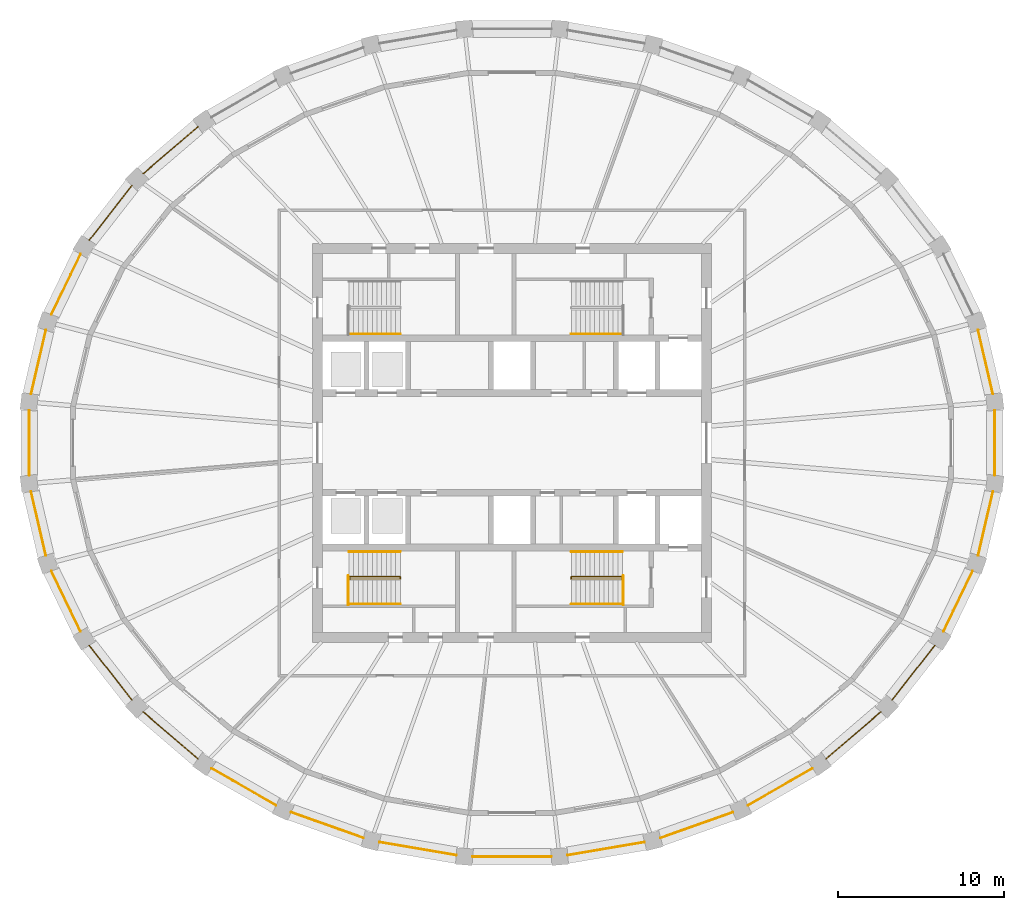
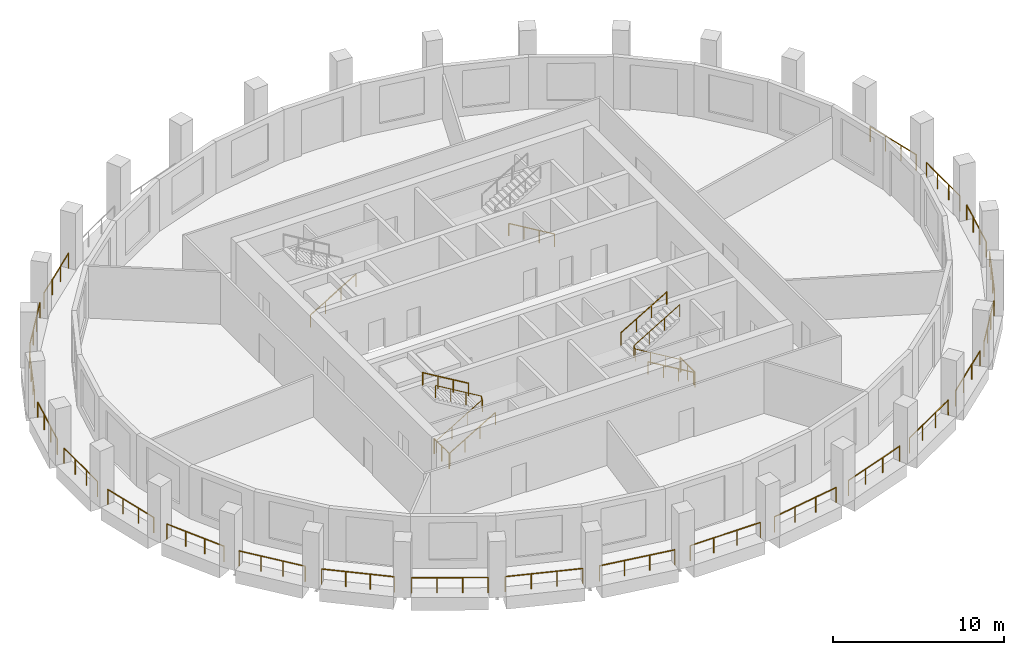
# One storey, part 8 of 10: 32 railings.
"""IFC4 building model written with IfcOpenShell, lengths in metres."""

import ifcopenshell
import ifcopenshell.guid

model = None  # the IFC model being written
_history = None  # IfcOwnerHistory: only IFC2X3 demands one
_inside = {}  # id of a spatial element -> (the spatial element, [elements in it])
_under = {}  # id of a project, library or spatial element -> (it, [spatial elements below it])
_declared = {}  # id of a project -> (the project, [libraries it declares])
_typed = {}  # id of a type object -> (the type object, [elements of that type])
_made_of = {}  # id of a material, layer set ... -> (it, [elements and type objects made of it])


def new_model(schema):
    """Start an empty IFC model of exactly this schema.

    Asked for "IFC4X3", IfcOpenShell would pick the latest addendum, in which some entities
    have other attributes; the version numbers below select the first issue.
    IFC2X3 requires an IfcOwnerHistory on every rooted entity: one is made here for all.
    """
    global model, _history
    if schema == "IFC4X3":
        model = ifcopenshell.file(schema_version=(4, 3, 0, 0))
    else:
        model = ifcopenshell.file(schema=schema)
    _inside.clear()
    _under.clear()
    _declared.clear()
    _typed.clear()
    _made_of.clear()
    _history = None
    if model.schema == "IFC2X3":
        org = make("IfcOrganization", Name="unknown")
        user = make(
            "IfcPersonAndOrganization",
            ThePerson=make("IfcPerson", FamilyName="unknown"),
            TheOrganization=org,
        )
        app = make(
            "IfcApplication",
            ApplicationDeveloper=org,
            Version="unknown",
            ApplicationFullName="unknown",
            ApplicationIdentifier="unknown",
        )
        _history = make(
            "IfcOwnerHistory",
            OwningUser=user,
            OwningApplication=app,
            ChangeAction="ADDED",
            CreationDate=0,
        )
    return model


def make(cls, **values):
    """One entity of the class cls with the attributes given. An attribute that is None is left unset."""
    return model.create_entity(
        cls, **{name: value for name, value in values.items() if value is not None}
    )


def rooted(cls, **values):
    """An entity with a GlobalId (a new one), such as an element, a storey or a relation."""
    return make(cls, GlobalId=ifcopenshell.guid.new(), OwnerHistory=_history, **values)


def si_unit(unit_type, name, prefix=None):
    """IfcSIUnit, for example si_unit("LENGTHUNIT", "METRE", prefix="MILLI")."""
    return make("IfcSIUnit", UnitType=unit_type, Prefix=prefix, Name=name)


def assignment(units):
    """IfcUnitAssignment: the units of a project."""
    return None if units is None else make("IfcUnitAssignment", Units=units)


def point(xyz):
    """IfcCartesianPoint."""
    return None if xyz is None else make("IfcCartesianPoint", Coordinates=xyz)


def direction(xyz):
    """IfcDirection."""
    return None if xyz is None else make("IfcDirection", DirectionRatios=xyz)


def frame(location, z_axis=None, x_axis=None):
    """IfcAxis2Placement3D, a coordinate frame: its origin and axes. An axis left out is left unset."""
    return make(
        "IfcAxis2Placement3D",
        Location=point(location),
        Axis=direction(z_axis),
        RefDirection=direction(x_axis),
    )


def frame_2d(location, x_axis=None):
    """IfcAxis2Placement2D, a coordinate frame in the plane: its origin and x axis."""
    return make(
        "IfcAxis2Placement2D", Location=point(location), RefDirection=direction(x_axis)
    )


def origin():
    """The frame at (0, 0, 0) with its axes left unset."""
    return frame((0.0, 0.0, 0.0))


def origin_2d():
    """The frame at (0, 0) in the plane with its x axis left unset."""
    return frame_2d((0.0, 0.0))


def place(relative_to, where):
    """IfcLocalPlacement: puts the frame where relative to a parent placement (None: the world)."""
    return make(
        "IfcLocalPlacement", PlacementRelTo=relative_to, RelativePlacement=where
    )


def context(
    kind, dimensions, precision=None, world=None, true_north=None, identifier=None
):
    """IfcGeometricRepresentationContext, for example the 3D "Model" context."""
    return make(
        "IfcGeometricRepresentationContext",
        ContextIdentifier=identifier,
        ContextType=kind,
        CoordinateSpaceDimension=dimensions,
        Precision=precision,
        WorldCoordinateSystem=world,
        TrueNorth=true_north,
    )


def subcontext(parent, identifier, kind, view, scale=None):
    """IfcGeometricRepresentationSubContext, for example "Body" below "Model"."""
    return make(
        "IfcGeometricRepresentationSubContext",
        ContextIdentifier=identifier,
        ContextType=kind,
        ParentContext=parent,
        TargetScale=scale,
        TargetView=view,
    )


def project(units=None, contexts=None):
    """IfcProject with its units and contexts."""
    return rooted(
        "IfcProject",
        Name="project",
        RepresentationContexts=contexts,
        UnitsInContext=assignment(units),
    )


def spatial(cls, under=None, at=None, **own):
    """A site, building, storey or space (cls), placed at a placement, below another one or the project."""
    s = rooted(cls, ObjectPlacement=at, **own)
    if under is not None:
        _under.setdefault(under.id(), (under, []))[1].append(s)
    return s


def profile(cls, at=None, kind="AREA", **sizes):
    """A parametric profile (cls). Its sizes go by their IFC names, for example OverallWidth=200.0."""
    return make(cls, ProfileType=kind, Position=at, **sizes)


def circle(**sizes):
    """IfcCircleProfileDef."""
    return profile("IfcCircleProfileDef", **sizes)


def extrude(swept, where, along, depth):
    """IfcExtrudedAreaSolid: the profile swept, set in the frame where, extruded along a direction by depth."""
    return make(
        "IfcExtrudedAreaSolid",
        SweptArea=swept,
        Position=where,
        ExtrudedDirection=direction(along),
        Depth=depth,
    )


def shape(context_of_items, identifier, shape_type, items):
    """IfcShapeRepresentation: the items that make up one representation, for example the "Body"."""
    return make(
        "IfcShapeRepresentation",
        ContextOfItems=context_of_items,
        RepresentationIdentifier=identifier,
        RepresentationType=shape_type,
        Items=items,
    )


def material(Name=None, Category=None):
    """IfcMaterial."""
    return make("IfcMaterial", Name=Name, Category=Category)


def made_of(thing, what):
    """Note that an element or type object is made of a material, layer set ...; save() writes the relation."""
    if what is not None:
        _made_of.setdefault(what.id(), (what, []))[1].append(thing)
    return thing


def type_object(cls, material=None, **own):
    """A type object (cls), such as IfcWallType, which elements share."""
    return made_of(rooted(cls, **own), material)


def element(
    cls,
    number,
    at=None,
    inside=None,
    cuts=None,
    type_object=None,
    material=None,
    context=None,
    identifier="Body",
    shape_type=None,
    held_by="IfcProductDefinitionShape",
    body=None,
    shapes=None,
    **own,
):
    """One element of the class cls, such as IfcWall. Its Tag is "e" and its number.

    at: its placement. inside: the storey or other place that contains it. cuts: it is an
    opening in that element (IfcRelVoidsElement). A single representation is given by context,
    identifier, shape_type and body (its items); several are given by shapes. held_by: the class
    of the entity that holds the representations. save() writes the other relations.
    """
    e = rooted(cls, Tag="e%d" % number, ObjectPlacement=at, **own)
    if body is not None:
        shapes = [shape(context, identifier, shape_type, body)]
    if shapes is not None:
        e.Representation = make(held_by, Representations=shapes)
    if inside is not None:
        _inside.setdefault(inside.id(), (inside, []))[1].append(e)
    if cuts is not None:
        rooted(
            "IfcRelVoidsElement", RelatingBuildingElement=cuts, RelatedOpeningElement=e
        )
    if type_object is not None:
        _typed.setdefault(type_object.id(), (type_object, []))[1].append(e)
    return made_of(e, material)


def aggregate(whole, parts):
    """IfcRelAggregates: a whole, such as a stair, and the parts it consists of."""
    return rooted("IfcRelAggregates", RelatingObject=whole, RelatedObjects=parts)


def save(model, path):
    """Write the relations noted so far, then the file.

    IfcRelAggregates (storeys below a building ...), IfcRelContainedInSpatialStructure (elements
    in a storey), IfcRelDefinesByType, IfcRelAssociatesMaterial and IfcRelDeclares: one each for
    every whole, place, type object, material and project.
    """
    for whole, parts in _under.values():
        aggregate(whole, parts)
    for where, things in _inside.values():
        rooted(
            "IfcRelContainedInSpatialStructure",
            RelatedElements=things,
            RelatingStructure=where,
        )
    for kind, things in _typed.values():
        rooted("IfcRelDefinesByType", RelatedObjects=things, RelatingType=kind)
    for what, things in _made_of.values():
        rooted("IfcRelAssociatesMaterial", RelatedObjects=things, RelatingMaterial=what)
    for by, libraries in _declared.values():
        rooted("IfcRelDeclares", RelatingContext=by, RelatedDefinitions=libraries)
    model.write(path)


model = new_model("IFC4")

# Units and contexts
model_context = context("Model", 3, precision=1e-05, world=origin(), true_north=direction((0.0, 1.0)))
body_context = subcontext(model_context, "Body", "Model", "MODEL_VIEW")
ifc_project = project(units=[si_unit("LENGTHUNIT", "METRE"), si_unit("AREAUNIT", "SQUARE_METRE"), si_unit("VOLUMEUNIT", "CUBIC_METRE"), si_unit("PLANEANGLEUNIT", "RADIAN"), si_unit("MASSUNIT", "GRAM", prefix="KILO")], contexts=[model_context])

# Site, building, storey
site_placement = place(None, origin())
site = spatial("IfcSite", under=ifc_project, at=site_placement, CompositionType="ELEMENT")
building_placement = place(site_placement, origin())
building = spatial("IfcBuilding", under=site, at=building_placement, Name="Halqa Exchange Tower", CompositionType="ELEMENT")
storey_placement = place(building_placement, frame((0.0, 0.0, 292.300048828125)))
storey = spatial("IfcBuildingStorey", under=building, at=storey_placement, Name="L68", CompositionType="ELEMENT", Elevation=292.300048828125)

# Railings
ifc_material = material(Name="Stainless steel", Category="steel")
railing_type_1 = type_object("IfcRailingType", Name="Guard 1100 stainless steel", PredefinedType="GUARDRAIL", material=ifc_material)
railing_1_placement = place(storey_placement, frame((28.9306640625, 2.93896484375, 0.0)))
element("IfcRailing", 1, at=railing_1_placement, inside=storey, type_object=railing_type_1, Name="Loggia guard 1", PredefinedType="GUARDRAIL", context=body_context, shape_type="SweptSolid", body=[
    extrude(circle(Radius=0.02392578125, at=origin_2d()), frame((0.0, 0.0, 1.076171875), z_axis=(-0.22607297296, 0.974110368951, 0.0), x_axis=(-0.974110368951, -0.22607297296, 0.0)), (0.0, 0.0, 1.0), 3.9375),
    extrude(circle(Radius=0.02099609375, at=origin_2d()), origin(), (0.0, 0.0, 1.0), 1.052001953125),
    extrude(circle(Radius=0.02099609375, at=origin_2d()), frame((-0.296630859375, 1.278564453125, 0.0)), (0.0, 0.0, 1.0), 1.052001953125),
    extrude(circle(Radius=0.02099609375, at=origin_2d()), frame((-0.593505859375, 2.556884765625, 0.0)), (0.0, 0.0, 1.0), 1.052001953125),
    extrude(circle(Radius=0.02099609375, at=origin_2d()), frame((-0.89013671875, 3.83544921875, 0.0)), (0.0, 0.0, 1.0), 1.052001953125),
])
railing_2_placement = place(storey_placement, frame((-18.893798828125, 19.011474609375, 0.0)))
element("IfcRailing", 2, at=railing_2_placement, inside=storey, type_object=railing_type_1, Name="Loggia guard 12", PredefinedType="GUARDRAIL", context=body_context, shape_type="SweptSolid", body=[
    extrude(circle(Radius=0.02392578125, at=origin_2d()), frame((0.0, 0.0, 1.076171875), z_axis=(-0.759256602365, -0.650791373456, 0.0), x_axis=(0.650791373456, -0.759256602365, 0.0)), (0.0, 0.0, 1.0), 4.328369140625),
    extrude(circle(Radius=0.02099609375, at=origin_2d()), origin(), (0.0, 0.0, 1.0), 1.052001953125),
    extrude(circle(Radius=0.02099609375, at=origin_2d()), frame((-1.095458984375, -0.93896484375, 0.0)), (0.0, 0.0, 1.0), 1.052001953125),
    extrude(circle(Radius=0.02099609375, at=origin_2d()), frame((-2.19091796875, -1.8779296875, 0.0)), (0.0, 0.0, 1.0), 1.052001953125),
    extrude(circle(Radius=0.02099609375, at=origin_2d()), frame((-3.286376953125, -2.81689453125, 0.0)), (0.0, 0.0, 1.0), 1.052001953125),
])
railing_3_placement = place(storey_placement, frame((-22.8671875, 15.47509765625, 0.0)))
element("IfcRailing", 3, at=railing_3_placement, inside=storey, type_object=railing_type_1, Name="Loggia guard 13", PredefinedType="GUARDRAIL", context=body_context, shape_type="SweptSolid", body=[
    extrude(circle(Radius=0.02392578125, at=origin_2d()), frame((0.0, 0.0, 1.076171875), z_axis=(-0.614799536048, -0.788683415875, 0.0), x_axis=(0.788683415875, -0.614799536048, 0.0)), (0.0, 0.0, 1.0), 4.169921875),
    extrude(circle(Radius=0.02099609375, at=origin_2d()), origin(), (0.0, 0.0, 1.0), 1.052001953125),
    extrude(circle(Radius=0.02099609375, at=origin_2d()), frame((-0.8544921875, -1.09619140625, 0.0)), (0.0, 0.0, 1.0), 1.052001953125),
    extrude(circle(Radius=0.02099609375, at=origin_2d()), frame((-1.709228515625, -2.192626953125, 0.0)), (0.0, 0.0, 1.0), 1.052001953125),
    extrude(circle(Radius=0.02099609375, at=origin_2d()), frame((-2.563720703125, -3.288818359375, 0.0)), (0.0, 0.0, 1.0), 1.052001953125),
])
railing_4_placement = place(storey_placement, frame((-25.955810546875, 11.341796875, 0.0)))
element("IfcRailing", 4, at=railing_4_placement, inside=storey, type_object=railing_type_1, Name="Loggia guard 14", PredefinedType="GUARDRAIL", context=body_context, shape_type="SweptSolid", body=[
    extrude(circle(Radius=0.02392578125, at=origin_2d()), frame((0.0, 0.0, 1.076171875), z_axis=(-0.435086028239, -0.90038888711, 0.0), x_axis=(0.90038888711, -0.435086028239, 0.0)), (0.0, 0.0, 1.0), 4.03173828125),
    extrude(circle(Radius=0.02099609375, at=origin_2d()), origin(), (0.0, 0.0, 1.0), 1.052001953125),
    extrude(circle(Radius=0.02099609375, at=origin_2d()), frame((-0.584716796875, -1.2099609375, 0.0)), (0.0, 0.0, 1.0), 1.052001953125),
    extrude(circle(Radius=0.02099609375, at=origin_2d()), frame((-1.16943359375, -2.420166015625, 0.0)), (0.0, 0.0, 1.0), 1.052001953125),
    extrude(circle(Radius=0.02099609375, at=origin_2d()), frame((-1.754150390625, -3.630126953125, 0.0)), (0.0, 0.0, 1.0), 1.052001953125),
])
railing_5_placement = place(storey_placement, frame((-28.04052734375, 6.7744140625, 0.0)))
element("IfcRailing", 5, at=railing_5_placement, inside=storey, type_object=railing_type_1, Name="Loggia guard 15", PredefinedType="GUARDRAIL", context=body_context, shape_type="SweptSolid", body=[
    extrude(circle(Radius=0.02392578125, at=origin_2d()), frame((0.0, 0.0, 1.076171875), z_axis=(-0.22607297296, -0.974110368951, 0.0), x_axis=(0.974110368951, -0.22607297296, 0.0)), (0.0, 0.0, 1.0), 3.9375),
    extrude(circle(Radius=0.02099609375, at=origin_2d()), origin(), (0.0, 0.0, 1.0), 1.052001953125),
    extrude(circle(Radius=0.02099609375, at=origin_2d()), frame((-0.296630859375, -1.278564453125, 0.0)), (0.0, 0.0, 1.0), 1.052001953125),
    extrude(circle(Radius=0.02099609375, at=origin_2d()), frame((-0.593505859375, -2.556884765625, 0.0)), (0.0, 0.0, 1.0), 1.052001953125),
    extrude(circle(Radius=0.02099609375, at=origin_2d()), frame((-0.89013671875, -3.83544921875, 0.0)), (0.0, 0.0, 1.0), 1.052001953125),
])
railing_6_placement = place(storey_placement, frame((-29.043701171875, 1.951904296875, 0.0)))
element("IfcRailing", 6, at=railing_6_placement, inside=storey, type_object=railing_type_1, Name="Loggia guard 16", PredefinedType="GUARDRAIL", context=body_context, shape_type="SweptSolid", body=[
    extrude(circle(Radius=0.02392578125, at=origin_2d()), frame((0.0, 0.0, 1.076171875), z_axis=(0.0, -1.0, 0.0), x_axis=(1.0, 0.0, 0.0)), (0.0, 0.0, 1.0), 3.90380859375),
    extrude(circle(Radius=0.02099609375, at=origin_2d()), origin(), (0.0, 0.0, 1.0), 1.052001953125),
    extrude(circle(Radius=0.02099609375, at=origin_2d()), frame((0.0, -1.30126953125, 0.0)), (0.0, 0.0, 1.0), 1.052001953125),
    extrude(circle(Radius=0.02099609375, at=origin_2d()), frame((0.0, -2.6025390625, 0.0)), (0.0, 0.0, 1.0), 1.052001953125),
    extrude(circle(Radius=0.02099609375, at=origin_2d()), frame((0.0, -3.90380859375, 0.0)), (0.0, 0.0, 1.0), 1.052001953125),
])
railing_7_placement = place(storey_placement, frame((-28.9306640625, -2.93896484375, 0.0)))
element("IfcRailing", 7, at=railing_7_placement, inside=storey, type_object=railing_type_1, Name="Loggia guard 17", PredefinedType="GUARDRAIL", context=body_context, shape_type="SweptSolid", body=[
    extrude(circle(Radius=0.02392578125, at=origin_2d()), frame((0.0, 0.0, 1.076171875), z_axis=(0.22607297296, -0.974110368951, 0.0), x_axis=(0.974110368951, 0.22607297296, 0.0)), (0.0, 0.0, 1.0), 3.9375),
    extrude(circle(Radius=0.02099609375, at=origin_2d()), origin(), (0.0, 0.0, 1.0), 1.052001953125),
    extrude(circle(Radius=0.02099609375, at=origin_2d()), frame((0.296630859375, -1.278564453125, 0.0)), (0.0, 0.0, 1.0), 1.052001953125),
    extrude(circle(Radius=0.02099609375, at=origin_2d()), frame((0.593505859375, -2.556884765625, 0.0)), (0.0, 0.0, 1.0), 1.052001953125),
    extrude(circle(Radius=0.02099609375, at=origin_2d()), frame((0.89013671875, -3.83544921875, 0.0)), (0.0, 0.0, 1.0), 1.052001953125),
])
railing_8_placement = place(storey_placement, frame((-27.7099609375, -7.711669921875, 0.0)))
element("IfcRailing", 8, at=railing_8_placement, inside=storey, type_object=railing_type_1, Name="Loggia guard 18", PredefinedType="GUARDRAIL", context=body_context, shape_type="SweptSolid", body=[
    extrude(circle(Radius=0.02392578125, at=origin_2d()), frame((0.0, 0.0, 1.076171875), z_axis=(0.435086028239, -0.90038888711, 0.0), x_axis=(0.90038888711, 0.435086028239, 0.0)), (0.0, 0.0, 1.0), 4.03173828125),
    extrude(circle(Radius=0.02099609375, at=origin_2d()), origin(), (0.0, 0.0, 1.0), 1.052001953125),
    extrude(circle(Radius=0.02099609375, at=origin_2d()), frame((0.584716796875, -1.2099609375, 0.0)), (0.0, 0.0, 1.0), 1.052001953125),
    extrude(circle(Radius=0.02099609375, at=origin_2d()), frame((1.16943359375, -2.420166015625, 0.0)), (0.0, 0.0, 1.0), 1.052001953125),
    extrude(circle(Radius=0.02099609375, at=origin_2d()), frame((1.754150390625, -3.630126953125, 0.0)), (0.0, 0.0, 1.0), 1.052001953125),
])
railing_9_placement = place(storey_placement, frame((-25.430908203125, -12.186279296875, 0.0)))
element("IfcRailing", 9, at=railing_9_placement, inside=storey, type_object=railing_type_1, Name="Loggia guard 19", PredefinedType="GUARDRAIL", context=body_context, shape_type="SweptSolid", body=[
    extrude(circle(Radius=0.02392578125, at=origin_2d()), frame((0.0, 0.0, 1.076171875), z_axis=(0.614799536048, -0.788683415875, 0.0), x_axis=(0.788683415875, 0.614799536048, 0.0)), (0.0, 0.0, 1.0), 4.169921875),
    extrude(circle(Radius=0.02099609375, at=origin_2d()), origin(), (0.0, 0.0, 1.0), 1.052001953125),
    extrude(circle(Radius=0.02099609375, at=origin_2d()), frame((0.8544921875, -1.09619140625, 0.0)), (0.0, 0.0, 1.0), 1.052001953125),
    extrude(circle(Radius=0.02099609375, at=origin_2d()), frame((1.709228515625, -2.192626953125, 0.0)), (0.0, 0.0, 1.0), 1.052001953125),
    extrude(circle(Radius=0.02099609375, at=origin_2d()), frame((2.563720703125, -3.288818359375, 0.0)), (0.0, 0.0, 1.0), 1.052001953125),
])
railing_10_placement = place(storey_placement, frame((-22.18017578125, -16.194580078125, 0.0)))
element("IfcRailing", 10, at=railing_10_placement, inside=storey, type_object=railing_type_1, Name="Loggia guard 20", PredefinedType="GUARDRAIL", context=body_context, shape_type="SweptSolid", body=[
    extrude(circle(Radius=0.02392578125, at=origin_2d()), frame((0.0, 0.0, 1.076171875), z_axis=(0.759256602365, -0.650791373456, 0.0), x_axis=(0.650791373456, 0.759256602365, 0.0)), (0.0, 0.0, 1.0), 4.328369140625),
    extrude(circle(Radius=0.02099609375, at=origin_2d()), origin(), (0.0, 0.0, 1.0), 1.052001953125),
    extrude(circle(Radius=0.02099609375, at=origin_2d()), frame((1.095458984375, -0.93896484375, 0.0)), (0.0, 0.0, 1.0), 1.052001953125),
    extrude(circle(Radius=0.02099609375, at=origin_2d()), frame((2.19091796875, -1.8779296875, 0.0)), (0.0, 0.0, 1.0), 1.052001953125),
    extrude(circle(Radius=0.02099609375, at=origin_2d()), frame((3.286376953125, -2.81689453125, 0.0)), (0.0, 0.0, 1.0), 1.052001953125),
])
railing_11_placement = place(storey_placement, frame((-18.080322265625, -19.58544921875, 0.0)))
element("IfcRailing", 11, at=railing_11_placement, inside=storey, type_object=railing_type_1, Name="Loggia guard 21", PredefinedType="GUARDRAIL", context=body_context, shape_type="SweptSolid", body=[
    extrude(circle(Radius=0.02392578125, at=origin_2d()), frame((0.0, 0.0, 1.076171875), z_axis=(0.867770081803, -0.496965879239, 0.0), x_axis=(0.496965879239, 0.867770081803, 0.0)), (0.0, 0.0, 1.0), 4.481689453125),
    extrude(circle(Radius=0.02099609375, at=origin_2d()), origin(), (0.0, 0.0, 1.0), 1.052001953125),
    extrude(circle(Radius=0.02099609375, at=origin_2d()), frame((1.29638671875, -0.742431640625, 0.0)), (0.0, 0.0, 1.0), 1.052001953125),
    extrude(circle(Radius=0.02099609375, at=origin_2d()), frame((2.5927734375, -1.48486328125, 0.0)), (0.0, 0.0, 1.0), 1.052001953125),
    extrude(circle(Radius=0.02099609375, at=origin_2d()), frame((3.88916015625, -2.227294921875, 0.0)), (0.0, 0.0, 1.0), 1.052001953125),
])
railing_12_placement = place(storey_placement, frame((-13.2861328125, -22.228515625, 0.0)))
element("IfcRailing", 12, at=railing_12_placement, inside=storey, type_object=railing_type_1, Name="Loggia guard 22", PredefinedType="GUARDRAIL", context=body_context, shape_type="SweptSolid", body=[
    extrude(circle(Radius=0.02392578125, at=origin_2d()), frame((0.0, 0.0, 1.076171875), z_axis=(0.942370647396, -0.334570714388, 0.0), x_axis=(0.334570714388, 0.942370647396, 0.0)), (0.0, 0.0, 1.0), 4.60888671875),
    extrude(circle(Radius=0.02099609375, at=origin_2d()), origin(), (0.0, 0.0, 1.0), 1.052001953125),
    extrude(circle(Radius=0.02099609375, at=origin_2d()), frame((1.44775390625, -0.513916015625, 0.0)), (0.0, 0.0, 1.0), 1.052001953125),
    extrude(circle(Radius=0.02099609375, at=origin_2d()), frame((2.8955078125, -1.028076171875, 0.0)), (0.0, 0.0, 1.0), 1.052001953125),
    extrude(circle(Radius=0.02099609375, at=origin_2d()), frame((4.34326171875, -1.5419921875, 0.0)), (0.0, 0.0, 1.0), 1.052001953125),
])
railing_13_placement = place(storey_placement, frame((-7.978759765625, -24.02197265625, 0.0)))
element("IfcRailing", 13, at=railing_13_placement, inside=storey, type_object=railing_type_1, Name="Loggia guard 23", PredefinedType="GUARDRAIL", context=body_context, shape_type="SweptSolid", body=[
    extrude(circle(Radius=0.02392578125, at=origin_2d()), frame((0.0, 0.0, 1.076171875), z_axis=(0.98577534907, -0.168068322908, 0.0), x_axis=(0.168068322908, 0.98577534907, 0.0)), (0.0, 0.0, 1.0), 4.69189453125),
    extrude(circle(Radius=0.02099609375, at=origin_2d()), origin(), (0.0, 0.0, 1.0), 1.052001953125),
    extrude(circle(Radius=0.02099609375, at=origin_2d()), frame((1.541748046875, -0.262939453125, 0.0)), (0.0, 0.0, 1.0), 1.052001953125),
    extrude(circle(Radius=0.02099609375, at=origin_2d()), frame((3.08349609375, -0.525634765625, 0.0)), (0.0, 0.0, 1.0), 1.052001953125),
    extrude(circle(Radius=0.02099609375, at=origin_2d()), frame((4.625244140625, -0.78857421875, 0.0)), (0.0, 0.0, 1.0), 1.052001953125),
])
railing_14_placement = place(storey_placement, frame((-2.360595703125, -24.89453125, 0.0)))
element("IfcRailing", 14, at=railing_14_placement, inside=storey, type_object=railing_type_1, Name="Loggia guard 24", PredefinedType="GUARDRAIL", context=body_context, shape_type="SweptSolid", body=[
    extrude(circle(Radius=0.02392578125, at=origin_2d()), frame((0.0, 0.0, 1.076171875), z_axis=(1.0, 0.0, 0.0), x_axis=(0.0, 1.0, 0.0)), (0.0, 0.0, 1.0), 4.72119140625),
    extrude(circle(Radius=0.02099609375, at=origin_2d()), origin(), (0.0, 0.0, 1.0), 1.052001953125),
    extrude(circle(Radius=0.02099609375, at=origin_2d()), frame((1.57373046875, 0.0, 0.0)), (0.0, 0.0, 1.0), 1.052001953125),
    extrude(circle(Radius=0.02099609375, at=origin_2d()), frame((3.1474609375, 0.0, 0.0)), (0.0, 0.0, 1.0), 1.052001953125),
    extrude(circle(Radius=0.02099609375, at=origin_2d()), frame((4.72119140625, 0.0, 0.0)), (0.0, 0.0, 1.0), 1.052001953125),
])
railing_15_placement = place(storey_placement, frame((3.353515625, -24.810546875, 0.0)))
element("IfcRailing", 15, at=railing_15_placement, inside=storey, type_object=railing_type_1, Name="Loggia guard 25", PredefinedType="GUARDRAIL", context=body_context, shape_type="SweptSolid", body=[
    extrude(circle(Radius=0.02392578125, at=origin_2d()), frame((0.0, 0.0, 1.076171875), z_axis=(0.98577534907, 0.168068322908, 0.0), x_axis=(-0.168068322908, 0.98577534907, 0.0)), (0.0, 0.0, 1.0), 4.69189453125),
    extrude(circle(Radius=0.02099609375, at=origin_2d()), origin(), (0.0, 0.0, 1.0), 1.052001953125),
    extrude(circle(Radius=0.02099609375, at=origin_2d()), frame((1.541748046875, 0.262939453125, 0.0)), (0.0, 0.0, 1.0), 1.052001953125),
    extrude(circle(Radius=0.02099609375, at=origin_2d()), frame((3.08349609375, 0.525634765625, 0.0)), (0.0, 0.0, 1.0), 1.052001953125),
    extrude(circle(Radius=0.02099609375, at=origin_2d()), frame((4.625244140625, 0.78857421875, 0.0)), (0.0, 0.0, 1.0), 1.052001953125),
])
railing_16_placement = place(storey_placement, frame((8.94287109375, -23.7705078125, 0.0)))
element("IfcRailing", 16, at=railing_16_placement, inside=storey, type_object=railing_type_1, Name="Loggia guard 26", PredefinedType="GUARDRAIL", context=body_context, shape_type="SweptSolid", body=[
    extrude(circle(Radius=0.02392578125, at=origin_2d()), frame((0.0, 0.0, 1.076171875), z_axis=(0.942370647396, 0.334570714388, 0.0), x_axis=(-0.334570714388, 0.942370647396, 0.0)), (0.0, 0.0, 1.0), 4.60888671875),
    extrude(circle(Radius=0.02099609375, at=origin_2d()), origin(), (0.0, 0.0, 1.0), 1.052001953125),
    extrude(circle(Radius=0.02099609375, at=origin_2d()), frame((1.44775390625, 0.513916015625, 0.0)), (0.0, 0.0, 1.0), 1.052001953125),
    extrude(circle(Radius=0.02099609375, at=origin_2d()), frame((2.8955078125, 1.028076171875, 0.0)), (0.0, 0.0, 1.0), 1.052001953125),
    extrude(circle(Radius=0.02099609375, at=origin_2d()), frame((4.34326171875, 1.5419921875, 0.0)), (0.0, 0.0, 1.0), 1.052001953125),
])
railing_17_placement = place(storey_placement, frame((14.191162109375, -21.812744140625, 0.0)))
element("IfcRailing", 17, at=railing_17_placement, inside=storey, type_object=railing_type_1, Name="Loggia guard 27", PredefinedType="GUARDRAIL", context=body_context, shape_type="SweptSolid", body=[
    extrude(circle(Radius=0.02392578125, at=origin_2d()), frame((0.0, 0.0, 1.076171875), z_axis=(0.867770081803, 0.496965879239, 0.0), x_axis=(-0.496965879239, 0.867770081803, 0.0)), (0.0, 0.0, 1.0), 4.481689453125),
    extrude(circle(Radius=0.02099609375, at=origin_2d()), origin(), (0.0, 0.0, 1.0), 1.052001953125),
    extrude(circle(Radius=0.02099609375, at=origin_2d()), frame((1.29638671875, 0.742431640625, 0.0)), (0.0, 0.0, 1.0), 1.052001953125),
    extrude(circle(Radius=0.02099609375, at=origin_2d()), frame((2.5927734375, 1.48486328125, 0.0)), (0.0, 0.0, 1.0), 1.052001953125),
    extrude(circle(Radius=0.02099609375, at=origin_2d()), frame((3.88916015625, 2.227294921875, 0.0)), (0.0, 0.0, 1.0), 1.052001953125),
])
railing_18_placement = place(storey_placement, frame((18.893798828125, -19.011474609375, 0.0)))
element("IfcRailing", 18, at=railing_18_placement, inside=storey, type_object=railing_type_1, Name="Loggia guard 28", PredefinedType="GUARDRAIL", context=body_context, shape_type="SweptSolid", body=[
    extrude(circle(Radius=0.02392578125, at=origin_2d()), frame((0.0, 0.0, 1.076171875), z_axis=(0.759256602365, 0.650791373456, 0.0), x_axis=(-0.650791373456, 0.759256602365, 0.0)), (0.0, 0.0, 1.0), 4.328369140625),
    extrude(circle(Radius=0.02099609375, at=origin_2d()), origin(), (0.0, 0.0, 1.0), 1.052001953125),
    extrude(circle(Radius=0.02099609375, at=origin_2d()), frame((1.095458984375, 0.93896484375, 0.0)), (0.0, 0.0, 1.0), 1.052001953125),
    extrude(circle(Radius=0.02099609375, at=origin_2d()), frame((2.19091796875, 1.8779296875, 0.0)), (0.0, 0.0, 1.0), 1.052001953125),
    extrude(circle(Radius=0.02099609375, at=origin_2d()), frame((3.286376953125, 2.81689453125, 0.0)), (0.0, 0.0, 1.0), 1.052001953125),
])
railing_19_placement = place(storey_placement, frame((22.8671875, -15.47509765625, 0.0)))
element("IfcRailing", 19, at=railing_19_placement, inside=storey, type_object=railing_type_1, Name="Loggia guard 29", PredefinedType="GUARDRAIL", context=body_context, shape_type="SweptSolid", body=[
    extrude(circle(Radius=0.02392578125, at=origin_2d()), frame((0.0, 0.0, 1.076171875), z_axis=(0.614799536048, 0.788683415875, 0.0), x_axis=(-0.788683415875, 0.614799536048, 0.0)), (0.0, 0.0, 1.0), 4.169921875),
    extrude(circle(Radius=0.02099609375, at=origin_2d()), origin(), (0.0, 0.0, 1.0), 1.052001953125),
    extrude(circle(Radius=0.02099609375, at=origin_2d()), frame((0.8544921875, 1.09619140625, 0.0)), (0.0, 0.0, 1.0), 1.052001953125),
    extrude(circle(Radius=0.02099609375, at=origin_2d()), frame((1.709228515625, 2.192626953125, 0.0)), (0.0, 0.0, 1.0), 1.052001953125),
    extrude(circle(Radius=0.02099609375, at=origin_2d()), frame((2.563720703125, 3.288818359375, 0.0)), (0.0, 0.0, 1.0), 1.052001953125),
])
railing_20_placement = place(storey_placement, frame((25.955810546875, -11.341796875, 0.0)))
element("IfcRailing", 20, at=railing_20_placement, inside=storey, type_object=railing_type_1, Name="Loggia guard 30", PredefinedType="GUARDRAIL", context=body_context, shape_type="SweptSolid", body=[
    extrude(circle(Radius=0.02392578125, at=origin_2d()), frame((0.0, 0.0, 1.076171875), z_axis=(0.435086028239, 0.90038888711, 0.0), x_axis=(-0.90038888711, 0.435086028239, 0.0)), (0.0, 0.0, 1.0), 4.03173828125),
    extrude(circle(Radius=0.02099609375, at=origin_2d()), origin(), (0.0, 0.0, 1.0), 1.052001953125),
    extrude(circle(Radius=0.02099609375, at=origin_2d()), frame((0.584716796875, 1.2099609375, 0.0)), (0.0, 0.0, 1.0), 1.052001953125),
    extrude(circle(Radius=0.02099609375, at=origin_2d()), frame((1.16943359375, 2.420166015625, 0.0)), (0.0, 0.0, 1.0), 1.052001953125),
    extrude(circle(Radius=0.02099609375, at=origin_2d()), frame((1.754150390625, 3.630126953125, 0.0)), (0.0, 0.0, 1.0), 1.052001953125),
])
railing_21_placement = place(storey_placement, frame((28.04052734375, -6.7744140625, 0.0)))
element("IfcRailing", 21, at=railing_21_placement, inside=storey, type_object=railing_type_1, Name="Loggia guard 31", PredefinedType="GUARDRAIL", context=body_context, shape_type="SweptSolid", body=[
    extrude(circle(Radius=0.02392578125, at=origin_2d()), frame((0.0, 0.0, 1.076171875), z_axis=(0.22607297296, 0.974110368951, 0.0), x_axis=(-0.974110368951, 0.22607297296, 0.0)), (0.0, 0.0, 1.0), 3.9375),
    extrude(circle(Radius=0.02099609375, at=origin_2d()), origin(), (0.0, 0.0, 1.0), 1.052001953125),
    extrude(circle(Radius=0.02099609375, at=origin_2d()), frame((0.296630859375, 1.278564453125, 0.0)), (0.0, 0.0, 1.0), 1.052001953125),
    extrude(circle(Radius=0.02099609375, at=origin_2d()), frame((0.593505859375, 2.556884765625, 0.0)), (0.0, 0.0, 1.0), 1.052001953125),
    extrude(circle(Radius=0.02099609375, at=origin_2d()), frame((0.89013671875, 3.83544921875, 0.0)), (0.0, 0.0, 1.0), 1.052001953125),
])
railing_22_placement = place(storey_placement, frame((29.043701171875, -1.951904296875, 0.0)))
element("IfcRailing", 22, at=railing_22_placement, inside=storey, type_object=railing_type_1, Name="Loggia guard 32", PredefinedType="GUARDRAIL", context=body_context, shape_type="SweptSolid", body=[
    extrude(circle(Radius=0.02392578125, at=origin_2d()), frame((0.0, 0.0, 1.076171875), z_axis=(0.0, 1.0, 0.0), x_axis=(-1.0, 0.0, 0.0)), (0.0, 0.0, 1.0), 3.90380859375),
    extrude(circle(Radius=0.02099609375, at=origin_2d()), origin(), (0.0, 0.0, 1.0), 1.052001953125),
    extrude(circle(Radius=0.02099609375, at=origin_2d()), frame((0.0, 1.30126953125, 0.0)), (0.0, 0.0, 1.0), 1.052001953125),
    extrude(circle(Radius=0.02099609375, at=origin_2d()), frame((0.0, 2.6025390625, 0.0)), (0.0, 0.0, 1.0), 1.052001953125),
    extrude(circle(Radius=0.02099609375, at=origin_2d()), frame((0.0, 3.90380859375, 0.0)), (0.0, 0.0, 1.0), 1.052001953125),
])
railing_type_2 = type_object("IfcRailingType", Name="Stair handrail 900", PredefinedType="HANDRAIL", material=ifc_material)
railing_23_placement = place(storey_placement, frame((-9.800048828125, 6.550048828125, 0.166748046875)))
element("IfcRailing", 23, at=railing_23_placement, inside=storey, type_object=railing_type_2, Name="Handrail ST1.2", PredefinedType="HANDRAIL", context=body_context, shape_type="SweptSolid", body=[
    extrude(circle(Radius=0.02392578125, at=origin_2d()), frame((0.0, 0.0, 0.8759765625), z_axis=(0.859308565015, 0.0, 0.511457515432), x_axis=(0.0, 1.0, 0.0)), (0.0, 0.0, 1.0), 3.58447265625),
    extrude(circle(Radius=0.02099609375, at=origin_2d()), origin(), (0.0, 0.0, 1.0), 0.851806640625),
    extrude(circle(Radius=0.02099609375, at=origin_2d()), frame((1.026611328125, 0.0, 0.611083984375)), (0.0, 0.0, 1.0), 0.851806640625),
    extrude(circle(Radius=0.02099609375, at=origin_2d()), frame((2.053466796875, 0.0, 1.22216796875)), (0.0, 0.0, 1.0), 0.851806640625),
    extrude(circle(Radius=0.02099609375, at=origin_2d()), frame((3.080078125, 0.0, 1.833251953125)), (0.0, 0.0, 1.0), 0.851806640625),
])
railing_24_placement = place(storey_placement, frame((6.64990234375, 6.550048828125, 0.166748046875)))
element("IfcRailing", 24, at=railing_24_placement, inside=storey, type_object=railing_type_2, Name="Handrail ST2.2", PredefinedType="HANDRAIL", context=body_context, shape_type="SweptSolid", body=[
    extrude(circle(Radius=0.02392578125, at=origin_2d()), frame((0.0, 0.0, 0.8759765625), z_axis=(-0.859290745958, 0.0, 0.51148745235), x_axis=(0.0, -1.0, 0.0)), (0.0, 0.0, 1.0), 3.584228515625),
    extrude(circle(Radius=0.02099609375, at=origin_2d()), origin(), (0.0, 0.0, 1.0), 0.851806640625),
    extrude(circle(Radius=0.02099609375, at=origin_2d()), frame((-1.026611328125, 0.0, 0.611083984375)), (0.0, 0.0, 1.0), 0.851806640625),
    extrude(circle(Radius=0.02099609375, at=origin_2d()), frame((-2.05322265625, 0.0, 1.22216796875)), (0.0, 0.0, 1.0), 0.851806640625),
    extrude(circle(Radius=0.02099609375, at=origin_2d()), frame((-3.079833984375, 0.0, 1.833251953125)), (0.0, 0.0, 1.0), 0.851806640625),
])
railing_25_placement = place(storey_placement, frame((-9.800048828125, -8.18994140625, 0.166748046875)))
element("IfcRailing", 25, at=railing_25_placement, inside=storey, type_object=railing_type_2, Name="Handrail ST3.1", PredefinedType="HANDRAIL", context=body_context, shape_type="SweptSolid", body=[
    extrude(circle(Radius=0.02392578125, at=origin_2d()), frame((0.0, 0.0, 0.8759765625), z_axis=(0.859308565015, 0.0, 0.511457515432), x_axis=(0.0, 1.0, 0.0)), (0.0, 0.0, 1.0), 3.58447265625),
    extrude(circle(Radius=0.02392578125, at=origin_2d()), frame((3.080078125, 0.0, 2.708984375), z_axis=(0.0, 0.614500226555, 0.788916644243), x_axis=(-1.0, 0.0, 0.0)), (0.0, 0.0, 1.0), 0.21142578125),
    extrude(circle(Radius=0.02392578125, at=origin_2d()), frame((3.080078125, 0.1298828125, 2.8759765625), z_axis=(-0.859308565015, 0.0, 0.511457515432), x_axis=(0.0, -1.0, 0.0)), (0.0, 0.0, 1.0), 3.58447265625),
    extrude(circle(Radius=0.02099609375, at=origin_2d()), origin(), (0.0, 0.0, 1.0), 0.851806640625),
    extrude(circle(Radius=0.02099609375, at=origin_2d()), frame((1.026611328125, 0.0, 0.611083984375)), (0.0, 0.0, 1.0), 0.851806640625),
    extrude(circle(Radius=0.02099609375, at=origin_2d()), frame((2.053466796875, 0.0, 1.22216796875)), (0.0, 0.0, 1.0), 0.851806640625),
    extrude(circle(Radius=0.02099609375, at=origin_2d()), frame((3.080078125, 0.0, 1.833251953125)), (0.0, 0.0, 1.0), 0.851806640625),
    extrude(circle(Radius=0.02099609375, at=origin_2d()), frame((3.080078125, 0.1298828125, 2.0)), (0.0, 0.0, 1.0), 0.851806640625),
    extrude(circle(Radius=0.02099609375, at=origin_2d()), frame((2.053466796875, 0.1298828125, 2.611083984375)), (0.0, 0.0, 1.0), 0.851806640625),
    extrude(circle(Radius=0.02099609375, at=origin_2d()), frame((1.026611328125, 0.1298828125, 3.22216796875)), (0.0, 0.0, 1.0), 0.851806640625),
    extrude(circle(Radius=0.02099609375, at=origin_2d()), frame((0.0, 0.1298828125, 3.833251953125)), (0.0, 0.0, 1.0), 0.851806640625),
])
railing_26_placement = place(storey_placement, frame((-9.800048828125, -9.699951171875, 0.166748046875)))
element("IfcRailing", 26, at=railing_26_placement, inside=storey, type_object=railing_type_2, Name="Handrail ST3.2", PredefinedType="HANDRAIL", context=body_context, shape_type="SweptSolid", body=[
    extrude(circle(Radius=0.02392578125, at=origin_2d()), frame((0.0, 0.0, 0.8759765625), z_axis=(0.859308565015, 0.0, 0.511457515432), x_axis=(0.0, 1.0, 0.0)), (0.0, 0.0, 1.0), 3.58447265625),
    extrude(circle(Radius=0.02099609375, at=origin_2d()), origin(), (0.0, 0.0, 1.0), 0.851806640625),
    extrude(circle(Radius=0.02099609375, at=origin_2d()), frame((1.026611328125, 0.0, 0.611083984375)), (0.0, 0.0, 1.0), 0.851806640625),
    extrude(circle(Radius=0.02099609375, at=origin_2d()), frame((2.053466796875, 0.0, 1.22216796875)), (0.0, 0.0, 1.0), 0.851806640625),
    extrude(circle(Radius=0.02099609375, at=origin_2d()), frame((3.080078125, 0.0, 1.833251953125)), (0.0, 0.0, 1.0), 0.851806640625),
])
railing_27_placement = place(storey_placement, frame((-6.719970703125, -6.550048828125, 2.166748046875)))
element("IfcRailing", 27, at=railing_27_placement, inside=storey, type_object=railing_type_2, Name="Handrail ST3.3", PredefinedType="HANDRAIL", context=body_context, shape_type="SweptSolid", body=[
    extrude(circle(Radius=0.02392578125, at=origin_2d()), frame((0.0, 0.0, 0.8759765625), z_axis=(-0.859308565015, 0.0, 0.511457515432), x_axis=(0.0, -1.0, 0.0)), (0.0, 0.0, 1.0), 3.58447265625),
    extrude(circle(Radius=0.02099609375, at=origin_2d()), origin(), (0.0, 0.0, 1.0), 0.851806640625),
    extrude(circle(Radius=0.02099609375, at=origin_2d()), frame((-1.026611328125, 0.0, 0.611083984375)), (0.0, 0.0, 1.0), 0.851806640625),
    extrude(circle(Radius=0.02099609375, at=origin_2d()), frame((-2.053466796875, 0.0, 1.22216796875)), (0.0, 0.0, 1.0), 0.851806640625),
    extrude(circle(Radius=0.02099609375, at=origin_2d()), frame((-3.080078125, 0.0, 1.833251953125)), (0.0, 0.0, 1.0), 0.851806640625),
])
railing_28_placement = place(storey_placement, frame((6.64990234375, -8.18994140625, 0.166748046875)))
element("IfcRailing", 28, at=railing_28_placement, inside=storey, type_object=railing_type_2, Name="Handrail ST4.1", PredefinedType="HANDRAIL", context=body_context, shape_type="SweptSolid", body=[
    extrude(circle(Radius=0.02392578125, at=origin_2d()), frame((0.0, 0.0, 0.8759765625), z_axis=(-0.859290745958, 0.0, 0.51148745235), x_axis=(0.0, -1.0, 0.0)), (0.0, 0.0, 1.0), 3.584228515625),
    extrude(circle(Radius=0.02392578125, at=origin_2d()), frame((-3.079833984375, 0.0, 2.708984375), z_axis=(0.0, 0.614500226555, 0.788916644243), x_axis=(-1.0, 0.0, 0.0)), (0.0, 0.0, 1.0), 0.21142578125),
    extrude(circle(Radius=0.02392578125, at=origin_2d()), frame((-3.079833984375, 0.1298828125, 2.8759765625), z_axis=(0.859290745958, 0.0, 0.51148745235), x_axis=(0.0, 1.0, 0.0)), (0.0, 0.0, 1.0), 3.584228515625),
    extrude(circle(Radius=0.02099609375, at=origin_2d()), origin(), (0.0, 0.0, 1.0), 0.851806640625),
    extrude(circle(Radius=0.02099609375, at=origin_2d()), frame((-1.026611328125, 0.0, 0.611083984375)), (0.0, 0.0, 1.0), 0.851806640625),
    extrude(circle(Radius=0.02099609375, at=origin_2d()), frame((-2.05322265625, 0.0, 1.22216796875)), (0.0, 0.0, 1.0), 0.851806640625),
    extrude(circle(Radius=0.02099609375, at=origin_2d()), frame((-3.079833984375, 0.0, 1.833251953125)), (0.0, 0.0, 1.0), 0.851806640625),
    extrude(circle(Radius=0.02099609375, at=origin_2d()), frame((-3.079833984375, 0.1298828125, 2.0)), (0.0, 0.0, 1.0), 0.851806640625),
    extrude(circle(Radius=0.02099609375, at=origin_2d()), frame((-2.05322265625, 0.1298828125, 2.611083984375)), (0.0, 0.0, 1.0), 0.851806640625),
    extrude(circle(Radius=0.02099609375, at=origin_2d()), frame((-1.026611328125, 0.1298828125, 3.22216796875)), (0.0, 0.0, 1.0), 0.851806640625),
    extrude(circle(Radius=0.02099609375, at=origin_2d()), frame((0.0, 0.1298828125, 3.833251953125)), (0.0, 0.0, 1.0), 0.851806640625),
])
railing_29_placement = place(storey_placement, frame((6.64990234375, -9.699951171875, 0.166748046875)))
element("IfcRailing", 29, at=railing_29_placement, inside=storey, type_object=railing_type_2, Name="Handrail ST4.2", PredefinedType="HANDRAIL", context=body_context, shape_type="SweptSolid", body=[
    extrude(circle(Radius=0.02392578125, at=origin_2d()), frame((0.0, 0.0, 0.8759765625), z_axis=(-0.859290745958, 0.0, 0.51148745235), x_axis=(0.0, -1.0, 0.0)), (0.0, 0.0, 1.0), 3.584228515625),
    extrude(circle(Radius=0.02099609375, at=origin_2d()), origin(), (0.0, 0.0, 1.0), 0.851806640625),
    extrude(circle(Radius=0.02099609375, at=origin_2d()), frame((-1.026611328125, 0.0, 0.611083984375)), (0.0, 0.0, 1.0), 0.851806640625),
    extrude(circle(Radius=0.02099609375, at=origin_2d()), frame((-2.05322265625, 0.0, 1.22216796875)), (0.0, 0.0, 1.0), 0.851806640625),
    extrude(circle(Radius=0.02099609375, at=origin_2d()), frame((-3.079833984375, 0.0, 1.833251953125)), (0.0, 0.0, 1.0), 0.851806640625),
])
railing_30_placement = place(storey_placement, frame((3.570068359375, -6.550048828125, 2.166748046875)))
element("IfcRailing", 30, at=railing_30_placement, inside=storey, type_object=railing_type_2, Name="Handrail ST4.3", PredefinedType="HANDRAIL", context=body_context, shape_type="SweptSolid", body=[
    extrude(circle(Radius=0.02392578125, at=origin_2d()), frame((0.0, 0.0, 0.8759765625), z_axis=(0.859290745958, 0.0, 0.51148745235), x_axis=(0.0, 1.0, 0.0)), (0.0, 0.0, 1.0), 3.584228515625),
    extrude(circle(Radius=0.02099609375, at=origin_2d()), origin(), (0.0, 0.0, 1.0), 0.851806640625),
    extrude(circle(Radius=0.02099609375, at=origin_2d()), frame((1.026611328125, 0.0, 0.611083984375)), (0.0, 0.0, 1.0), 0.851806640625),
    extrude(circle(Radius=0.02099609375, at=origin_2d()), frame((2.05322265625, 0.0, 1.22216796875)), (0.0, 0.0, 1.0), 0.851806640625),
    extrude(circle(Radius=0.02099609375, at=origin_2d()), frame((3.079833984375, 0.0, 1.833251953125)), (0.0, 0.0, 1.0), 0.851806640625),
])
railing_type_3 = type_object("IfcRailingType", Name="Stair well guard 1100", PredefinedType="GUARDRAIL", material=ifc_material)
for number, where, name in (
    (31, (-9.85009765625, -9.75, 0.0), "Guard ST3 well"),
    (32, (6.699951171875, -9.75, 0.0), "Guard ST4 well"),
):
    element("IfcRailing", number, at=place(storey_placement, frame(where)), inside=storey, type_object=railing_type_3, Name=name, PredefinedType="GUARDRAIL", context=body_context, shape_type="SweptSolid", body=[
        extrude(circle(Radius=0.02392578125, at=origin_2d()), frame((0.0, 0.0, 1.076171875), z_axis=(0.0, 1.0, 0.0), x_axis=(-1.0, 0.0, 0.0)), (0.0, 0.0, 1.0), 1.75),
        extrude(circle(Radius=0.02099609375, at=origin_2d()), origin(), (0.0, 0.0, 1.0), 1.052001953125),
        extrude(circle(Radius=0.02099609375, at=origin_2d()), frame((0.0, 0.875, 0.0)), (0.0, 0.0, 1.0), 1.052001953125),
        extrude(circle(Radius=0.02099609375, at=origin_2d()), frame((0.0, 1.75, 0.0)), (0.0, 0.0, 1.0), 1.052001953125),
    ])

save(model, "model.ifc")
